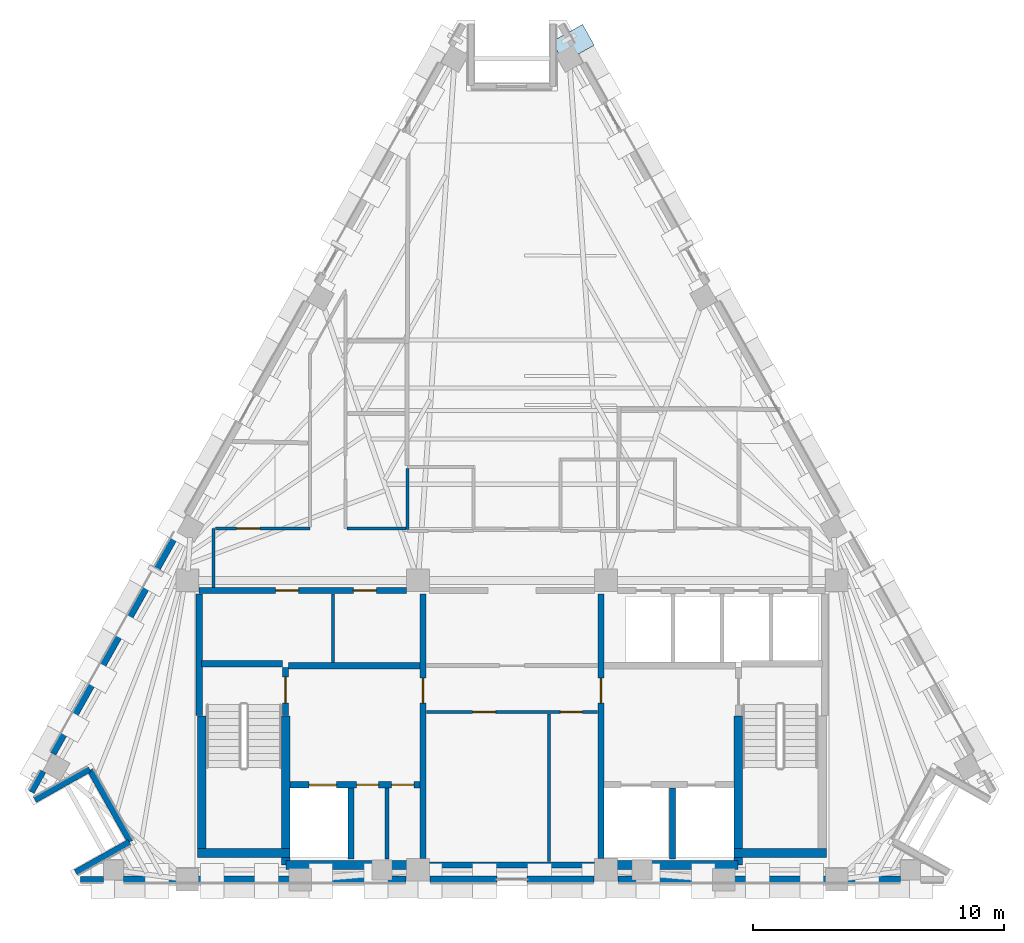
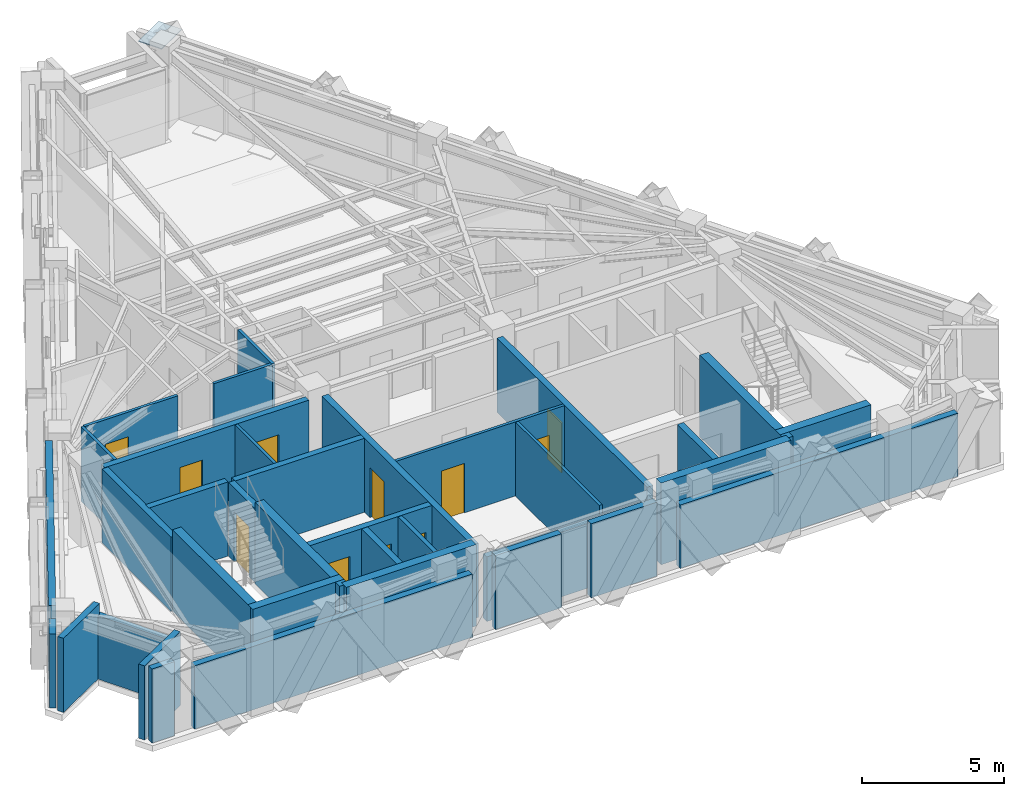
# One storey, part 5 of 9: 36 walls, 11 doors, 1 plate, 11 openings.
"""IFC4 building model written with IfcOpenShell, lengths in metres."""

from ifc_helpers import new_model, si_unit, direction, frame, frame_2d, origin, origin_2d, place, context, subcontext, project, spatial, rectangle, extrude, material, layer, layer_set, type_object, element, fill, save


model = new_model("IFC4")

# Units and contexts
model_context = context("Model", 3, precision=1e-05, world=origin(), true_north=direction((0.0, 1.0)))
body_context = subcontext(model_context, "Body", "Model", "MODEL_VIEW")
ifc_project = project(units=[si_unit("LENGTHUNIT", "METRE"), si_unit("AREAUNIT", "SQUARE_METRE"), si_unit("VOLUMEUNIT", "CUBIC_METRE"), si_unit("PLANEANGLEUNIT", "RADIAN"), si_unit("MASSUNIT", "GRAM", prefix="KILO")], contexts=[model_context])

# Site, building, storey
site_placement = place(None, origin())
site = spatial("IfcSite", under=ifc_project, at=site_placement, CompositionType="ELEMENT")
building_placement = place(site_placement, origin())
building = spatial("IfcBuilding", under=site, at=building_placement, Name="Quenlor Broadcast Tower", CompositionType="ELEMENT")
storey_placement = place(building_placement, frame((0.0, 0.0, 267.39990234375)))
storey = spatial("IfcBuildingStorey", under=building, at=storey_placement, Name="L74", CompositionType="ELEMENT", Elevation=267.39990234375)

# Plate
ifc_material_1 = material(Name="Steel S355", Category="steel")
ifc_layer_1 = layer(ifc_material_1, 0.035888671875)
ifc_layer_set_1 = layer_set([ifc_layer_1], Name="Transfer Truss Steel S355 Gusset Node Plate 1400x950x36")
plate_type = type_object("IfcPlateType", Name="Transfer Truss Steel S355 Gusset Node Plate 1400x950x36", PredefinedType="SHEET", material=ifc_layer_set_1)
plate_placement = place(storey_placement, frame((2.438232421875, 16.626708984375, 3.18212890625), z_axis=(0.0, 0.0, 1.0), x_axis=(0.871556314255, 0.490295412055, 0.0)))
element("IfcPlate", 1, at=plate_placement, inside=storey, type_object=plate_type, Name="L74 Lattice Tie Gusset Node NE-T0", PredefinedType="SHEET", context=body_context, shape_type="SweptSolid", body=[
    extrude(rectangle(XDim=1.39990234375, YDim=0.949951171875, at=origin_2d()), origin(), (0.0, 0.0, 1.0), 0.035888671875),
])

# Walls
ifc_material_2 = material(Name="Concrete C50/60", Category="concrete")
ifc_layer_2 = layer(ifc_material_2, 0.35009765625)
ifc_layer_set_2 = layer_set([ifc_layer_2], Name="Core Concrete C50/60 Shear Wall 350")
wall_type_1 = type_object("IfcWallType", Name="Core Concrete C50/60 Shear Wall 350", PredefinedType="SHEAR", material=ifc_layer_set_2)
wall_1_placement = place(storey_placement, frame((-12.550048828125, -15.675048828125, 0.0), z_axis=(0.0, 0.0, 1.0), x_axis=(1.0, 0.0, 0.0)))
element("IfcWall", 2, at=wall_1_placement, inside=storey, type_object=wall_type_1, Name="L74 Core Shear Wall WS-W1", PredefinedType="SHEAR", context=body_context, shape_type="SweptSolid", body=[
    extrude(rectangle(XDim=3.699951171875, YDim=0.35009765625, at=frame_2d((1.85009765625, 0.0))), origin(), (0.0, 0.0, 1.0), 3.5),
])
for number, where, z_axis, x_axis, name in (
    (3, (-9.02490234375, -16.14990234375, 0.0), (0.0, 0.0, 1.0), (1.0, 0.0, 0.0), "L74 Core Shear Wall WS-W2"),
    (4, (3.75, -16.14990234375, 0.0), (0.0, 0.0, 1.0), (1.0, 0.0, 0.0), "L74 Core Shear Wall WS-E1"),
):
    element("IfcWall", number, at=place(storey_placement, frame(where, z_axis=z_axis, x_axis=x_axis)), inside=storey, type_object=wall_type_1, Name=name, PredefinedType="SHEAR", context=body_context, shape_type="SweptSolid", body=[
        extrude(rectangle(XDim=5.27490234375, YDim=0.35009765625, at=frame_2d((2.637451171875, 0.0))), origin(), (0.0, 0.0, 1.0), 3.5),
    ])
wall_2_placement = place(storey_placement, frame((8.85009765625, -15.675048828125, 0.0), z_axis=(0.0, 0.0, 1.0), x_axis=(1.0, 0.0, 0.0)))
element("IfcWall", 5, at=wall_2_placement, inside=storey, type_object=wall_type_1, Name="L74 Core Shear Wall WS-E2", PredefinedType="SHEAR", context=body_context, shape_type="SweptSolid", body=[
    extrude(rectangle(XDim=3.699951171875, YDim=0.35009765625, at=frame_2d((1.85009765625, 0.0))), origin(), (0.0, 0.0, 1.0), 3.5),
])
wall_3_placement = place(storey_placement, frame((-12.375, -15.675048828125, 0.0), z_axis=(0.0, 0.0, 1.0), x_axis=(0.0, 1.0, 0.0)))
element("IfcWall", 6, at=wall_3_placement, inside=storey, type_object=wall_type_1, Name="L74 Core Shear Wall WF-W", PredefinedType="SHEAR", context=body_context, shape_type="SweptSolid", body=[
    extrude(rectangle(XDim=5.47509765625, YDim=0.35009765625, at=frame_2d((2.737548828125, 0.0))), origin(), (0.0, 0.0, 1.0), 3.5),
])
for number, where, z_axis, x_axis, name in (
    (7, (-9.02490234375, -16.14990234375, 0.0), (0.0, 0.0, 1.0), (0.0, 1.0, 0.0), "L74 Core Shear Wall WI-W"),
    (8, (9.02490234375, -16.14990234375, 0.0), (0.0, 0.0, 1.0), (0.0, 1.0, 0.0), "L74 Core Shear Wall WI-E"),
):
    element("IfcWall", number, at=place(storey_placement, frame(where, z_axis=z_axis, x_axis=x_axis)), inside=storey, type_object=wall_type_1, Name=name, PredefinedType="SHEAR", context=body_context, shape_type="SweptSolid", body=[
        extrude(rectangle(XDim=5.949951171875, YDim=0.35009765625, at=frame_2d((2.97509765625, 0.0))), origin(), (0.0, 0.0, 1.0), 3.5),
    ])

# Wall, opening, door
ifc_material_3 = material(Name="Concrete C40/50", Category="concrete")
ifc_layer_3 = layer(ifc_material_3, 0.25)
ifc_layer_set_3 = layer_set([ifc_layer_3], Name="Fire Rated Concrete C40/50 Core Wall 250")
wall_type_2 = type_object("IfcWallType", Name="Fire Rated Concrete C40/50 Core Wall 250", PredefinedType="PARTITIONING", material=ifc_layer_set_3)
wall_4_placement = place(storey_placement, frame((-9.0400390625, -10.179931640625, 0.0), z_axis=(0.0, 0.0, 1.0), x_axis=(0.0, 1.0, 0.0)))
wall_4 = element("IfcWall", 9, at=wall_4_placement, inside=storey, type_object=wall_type_2, Name="L74 Interior Wall CW-ST1-DR", PredefinedType="PARTITIONING", context=body_context, shape_type="SweptSolid", body=[
    extrude(rectangle(XDim=1.89990234375, YDim=0.25, at=frame_2d((0.949951171875, 0.0))), origin(), (0.0, 0.0, 1.0), 3.18017578125),
])
opening_1_placement = place(wall_4_placement, frame((0.47998046875, 0.0, 0.0)))
opening_1 = element("IfcOpeningElement", 10, at=opening_1_placement, cuts=wall_4, Name="Opening FD-1", PredefinedType="OPENING", context=body_context, shape_type="SweptSolid", body=[
    extrude(rectangle(XDim=1.050048828125, YDim=2.14990234375, at=frame_2d((0.52490234375, 1.074951171875))), frame((0.0, 0.135009765625, 0.0), z_axis=(0.0, -1.0, 0.0), x_axis=(1.0, 0.0, 0.0)), (0.0, 0.0, 1.0), 0.27001953125),
])
ifc_material_4 = material(Name="Fire Rated Steel Door Leaf", Category="steel")
door_type_1 = type_object("IfcDoorType", Name="Fire Isolated Stair Door 1050x2150", OperationType="NOTDEFINED", PredefinedType="DOOR", material=ifc_material_4)
door_1_placement = place(opening_1_placement, origin())
door_1 = element("IfcDoor", 11, at=door_1_placement, inside=storey, type_object=door_type_1, Name="L74 Door DR-ST1", OperationType="SINGLE_SWING_LEFT", OverallHeight=2.14990234375, OverallWidth=1.050048828125, PredefinedType="DOOR", context=body_context, shape_type="SweptSolid", body=[
    extrude(rectangle(XDim=1.050048828125, YDim=2.14990234375, at=frame_2d((0.52490234375, 1.074951171875))), frame((0.0, 0.02490234375, 0.0), z_axis=(0.0, -1.0, 0.0), x_axis=(1.0, 0.0, 0.0)), (0.0, 0.0, 1.0), 0.050048828125),
])
fill(opening_1, door_1)

# Walls
wall_5_placement = place(storey_placement, frame((-12.3798828125, -8.1201171875, 0.0), z_axis=(0.0, 0.0, 1.0), x_axis=(1.0, 0.0, 0.0)))
element("IfcWall", 12, at=wall_5_placement, inside=storey, type_object=wall_type_2, Name="L74 Interior Wall CW-ST1-N", PredefinedType="PARTITIONING", context=body_context, shape_type="SweptSolid", body=[
    extrude(rectangle(XDim=3.219970703125, YDim=0.25, at=frame_2d((1.60986328125, 0.0))), origin(), (0.0, 0.0, 1.0), 3.18017578125),
])
wall_6_placement = place(storey_placement, frame((-12.47998046875, -10.179931640625, 0.0), z_axis=(0.0, 0.0, 1.0), x_axis=(0.0, 1.0, 0.0)))
element("IfcWall", 13, at=wall_6_placement, inside=storey, type_object=wall_type_2, Name="L74 Interior Wall CW-ST1-W2", PredefinedType="PARTITIONING", context=body_context, shape_type="SweptSolid", body=[
    extrude(rectangle(XDim=4.83984375, YDim=0.25, at=frame_2d((2.419921875, 0.0))), origin(), (0.0, 0.0, 1.0), 3.18017578125),
])

# Wall, openings, doors
wall_7_placement = place(storey_placement, frame((-8.847900390625, -12.949951171875, 0.0), z_axis=(0.0, 0.0, 1.0), x_axis=(1.0, 0.0, 0.0)))
wall_7 = element("IfcWall", 14, at=wall_7_placement, inside=storey, type_object=wall_type_2, Name="L74 Interior Wall CW-FFW-S", PredefinedType="PARTITIONING", context=body_context, shape_type="SweptSolid", body=[
    extrude(rectangle(XDim=5.16796875, YDim=0.25, at=frame_2d((2.583984375, 0.0))), origin(), (0.0, 0.0, 1.0), 3.18017578125),
])
opening_2_placement = place(wall_7_placement, frame((0.748046875, 0.0, 0.0)))
opening_2 = element("IfcOpeningElement", 15, at=opening_2_placement, cuts=wall_7, Name="Opening LD-FFL-1", PredefinedType="OPENING", context=body_context, shape_type="SweptSolid", body=[
    extrude(rectangle(XDim=1.10009765625, YDim=2.14990234375, at=frame_2d((0.550048828125, 1.074951171875))), frame((0.0, 0.135009765625, 0.0), z_axis=(0.0, -1.0, 0.0), x_axis=(1.0, 0.0, 0.0)), (0.0, 0.0, 1.0), 0.27001953125),
])
opening_3_placement = place(wall_7_placement, frame((2.64794921875, 0.0, 0.0)))
opening_3 = element("IfcOpeningElement", 16, at=opening_3_placement, cuts=wall_7, Name="Opening TD-1", PredefinedType="OPENING", context=body_context, shape_type="SweptSolid", body=[
    extrude(rectangle(XDim=0.8798828125, YDim=2.10009765625, at=frame_2d((0.43994140625, 1.050048828125))), frame((0.0, 0.135009765625, 0.0), z_axis=(0.0, -1.0, 0.0), x_axis=(1.0, 0.0, 0.0)), (0.0, 0.0, 1.0), 0.27001953125),
])
opening_4_placement = place(wall_7_placement, frame((4.048095703125, 0.0, 0.0)))
opening_4 = element("IfcOpeningElement", 17, at=opening_4_placement, cuts=wall_7, Name="Opening TD-1", PredefinedType="OPENING", context=body_context, shape_type="SweptSolid", body=[
    extrude(rectangle(XDim=0.8798828125, YDim=2.10009765625, at=frame_2d((0.43994140625, 1.050048828125))), frame((0.0, 0.135009765625, 0.0), z_axis=(0.0, -1.0, 0.0), x_axis=(1.0, 0.0, 0.0)), (0.0, 0.0, 1.0), 0.27001953125),
])
ifc_material_5 = material(Name="Brushed Stainless Steel", Category="steel")
door_type_2 = type_object("IfcDoorType", Name="Emergency Lift Sliding Landing Door 1100x2150", OperationType="NOTDEFINED", PredefinedType="DOOR", material=ifc_material_5)
door_2_placement = place(opening_2_placement, origin())
door_2 = element("IfcDoor", 18, at=door_2_placement, inside=storey, type_object=door_type_2, Name="L74 Door LD-FFL-1", OperationType="SLIDING_TO_LEFT", OverallHeight=2.14990234375, OverallWidth=1.10009765625, PredefinedType="DOOR", context=body_context, shape_type="SweptSolid", body=[
    extrude(rectangle(XDim=1.10009765625, YDim=2.14990234375, at=frame_2d((0.550048828125, 1.074951171875))), frame((0.0, 0.02490234375, 0.0), z_axis=(0.0, -1.0, 0.0), x_axis=(1.0, 0.0, 0.0)), (0.0, 0.0, 1.0), 0.050048828125),
])
fill(opening_2, door_2)
ifc_material_6 = material(Name="Fire Rated Steel Access Panel", Category="steel")
door_type_3 = type_object("IfcDoorType", Name="Riser Shaft Rated Access Trapdoor 880x2100", OperationType="NOTDEFINED", PredefinedType="TRAPDOOR", material=ifc_material_6)
door_3_placement = place(opening_3_placement, origin())
door_3 = element("IfcDoor", 19, at=door_3_placement, inside=storey, type_object=door_type_3, Name="L74 Door DR-ELR", OperationType="SINGLE_SWING_LEFT", OverallHeight=2.10009765625, OverallWidth=0.8798828125, PredefinedType="TRAPDOOR", context=body_context, shape_type="SweptSolid", body=[
    extrude(rectangle(XDim=0.8798828125, YDim=2.10009765625, at=frame_2d((0.43994140625, 1.050048828125))), frame((0.0, 0.02490234375, 0.0), z_axis=(0.0, -1.0, 0.0), x_axis=(1.0, 0.0, 0.0)), (0.0, 0.0, 1.0), 0.050048828125),
])
fill(opening_3, door_3)
door_4_placement = place(opening_4_placement, origin())
door_4 = element("IfcDoor", 20, at=door_4_placement, inside=storey, type_object=door_type_3, Name="L74 Door DR-CMR", OperationType="SINGLE_SWING_RIGHT", OverallHeight=2.10009765625, OverallWidth=0.8798828125, PredefinedType="TRAPDOOR", context=body_context, shape_type="SweptSolid", body=[
    extrude(rectangle(XDim=0.8798828125, YDim=2.10009765625, at=frame_2d((0.43994140625, 1.050048828125))), frame((0.0, 0.02490234375, 0.0), z_axis=(0.0, -1.0, 0.0), x_axis=(1.0, 0.0, 0.0)), (0.0, 0.0, 1.0), 0.050048828125),
])
fill(opening_4, door_4)

# Walls
for number, where, z_axis, x_axis, name in (
    (21, (-6.419921875, -15.919921875, 0.0), (0.0, 0.0, 1.0), (0.0, 1.0, 0.0), "L74 Interior Wall CW-FF1-E"),
    (22, (6.39990234375, -15.919921875, 0.0), (0.0, 0.0, 1.0), (0.0, 1.0, 0.0), "L74 Interior Wall CW-SV1-E"),
):
    element("IfcWall", number, at=place(storey_placement, frame(where, z_axis=z_axis, x_axis=x_axis)), inside=storey, type_object=wall_type_2, Name=name, PredefinedType="PARTITIONING", context=body_context, shape_type="SweptSolid", body=[
        extrude(rectangle(XDim=2.829833984375, YDim=0.25, at=frame_2d((1.4150390625, 0.0))), origin(), (0.0, 0.0, 1.0), 3.18017578125),
    ])
wall_8_placement = place(storey_placement, frame((-8.919921875, -8.199951171875, 0.0), z_axis=(0.0, 0.0, 1.0), x_axis=(1.0, 0.0, 0.0)))
element("IfcWall", 23, at=wall_8_placement, inside=storey, type_object=wall_type_2, Name="L74 Interior Wall CW-FFW-N", PredefinedType="PARTITIONING", context=body_context, shape_type="SweptSolid", body=[
    extrude(rectangle(XDim=5.239990234375, YDim=0.25, at=frame_2d((2.6201171875, 0.0))), origin(), (0.0, 0.0, 1.0), 3.18017578125),
])

# Wall, opening, door
wall_9_placement = place(storey_placement, frame((-3.550048828125, -15.89794921875, 0.0), z_axis=(0.0, 0.0, 1.0), x_axis=(0.0, 1.0, 0.0)))
wall_9 = element("IfcWall", 24, at=wall_9_placement, inside=storey, type_object=wall_type_2, Name="L74 Interior Wall CW-FFW-E", PredefinedType="PARTITIONING", context=body_context, shape_type="SweptSolid", body=[
    extrude(rectangle(XDim=10.557861328125, YDim=0.25, at=frame_2d((5.27880859375, 0.0))), origin(), (0.0, 0.0, 1.0), 3.18017578125),
])
opening_5_placement = place(wall_9_placement, frame((6.197998046875, 0.0, 0.0)))
opening_5 = element("IfcOpeningElement", 25, at=opening_5_placement, cuts=wall_9, Name="Opening FD-2", PredefinedType="OPENING", context=body_context, shape_type="SweptSolid", body=[
    extrude(rectangle(XDim=1.0, YDim=2.14990234375, at=frame_2d((0.5, 1.074951171875))), frame((0.0, 0.135009765625, 0.0), z_axis=(0.0, -1.0, 0.0), x_axis=(1.0, 0.0, 0.0)), (0.0, 0.0, 1.0), 0.27001953125),
])
ifc_material_7 = material(Name="Fire Rated Glazed Steel Door", Category="steel")
door_type_4 = type_object("IfcDoorType", Name="Firefighting Lobby Smoke Door 1000x2150", OperationType="NOTDEFINED", PredefinedType="DOOR", material=ifc_material_7)
door_5_placement = place(opening_5_placement, origin())
door_5 = element("IfcDoor", 26, at=door_5_placement, inside=storey, type_object=door_type_4, Name="L74 Door DR-FFLW", OperationType="SINGLE_SWING_RIGHT", OverallHeight=2.14990234375, OverallWidth=1.0, PredefinedType="DOOR", context=body_context, shape_type="SweptSolid", body=[
    extrude(rectangle(XDim=1.0, YDim=2.14990234375, at=frame_2d((0.5, 1.074951171875))), frame((0.0, 0.02490234375, 0.0), z_axis=(0.0, -1.0, 0.0), x_axis=(1.0, 0.0, 0.0)), (0.0, 0.0, 1.0), 0.050048828125),
])
fill(opening_5, door_5)

wall_10_placement = place(storey_placement, frame((3.550048828125, -15.89794921875, 0.0), z_axis=(0.0, 0.0, 1.0), x_axis=(0.0, 1.0, 0.0)))
wall_10 = element("IfcWall", 27, at=wall_10_placement, inside=storey, type_object=wall_type_2, Name="L74 Interior Wall CW-FFE-W", PredefinedType="PARTITIONING", context=body_context, shape_type="SweptSolid", body=[
    extrude(rectangle(XDim=10.557861328125, YDim=0.25, at=frame_2d((5.27880859375, 0.0))), origin(), (0.0, 0.0, 1.0), 3.18017578125),
])
opening_6_placement = place(wall_10_placement, frame((6.197998046875, 0.0, 0.0)))
opening_6 = element("IfcOpeningElement", 28, at=opening_6_placement, cuts=wall_10, Name="Opening FD-2", PredefinedType="OPENING", context=body_context, shape_type="SweptSolid", body=[
    extrude(rectangle(XDim=1.0, YDim=2.14990234375, at=frame_2d((0.5, 1.074951171875))), frame((0.0, 0.135009765625, 0.0), z_axis=(0.0, -1.0, 0.0), x_axis=(1.0, 0.0, 0.0)), (0.0, 0.0, 1.0), 0.27001953125),
])
door_6_placement = place(opening_6_placement, origin())
door_6 = element("IfcDoor", 29, at=door_6_placement, inside=storey, type_object=door_type_4, Name="L74 Door DR-FFLE", OperationType="SINGLE_SWING_LEFT", OverallHeight=2.14990234375, OverallWidth=1.0, PredefinedType="DOOR", context=body_context, shape_type="SweptSolid", body=[
    extrude(rectangle(XDim=1.0, YDim=2.14990234375, at=frame_2d((0.5, 1.074951171875))), frame((0.0, 0.02490234375, 0.0), z_axis=(0.0, -1.0, 0.0), x_axis=(1.0, 0.0, 0.0)), (0.0, 0.0, 1.0), 0.050048828125),
])
fill(opening_6, door_6)

# Wall, openings, doors
wall_11_placement = place(storey_placement, frame((-12.47998046875, -5.199951171875, 0.0), z_axis=(0.0, 0.0, 1.0), x_axis=(1.0, 0.0, 0.0)))
wall_11 = element("IfcWall", 30, at=wall_11_placement, inside=storey, type_object=wall_type_2, Name="L74 Interior Wall CW-N-W", PredefinedType="PARTITIONING", context=body_context, shape_type="SweptSolid", body=[
    extrude(rectangle(XDim=8.278076171875, YDim=0.25, at=frame_2d((4.13916015625, 0.0))), origin(), (0.0, 0.0, 1.0), 3.18017578125),
])
opening_7_placement = place(wall_11_placement, frame((3.050048828125, 0.0, 0.0)))
opening_7 = element("IfcOpeningElement", 31, at=opening_7_placement, cuts=wall_11, Name="Opening ID-1", PredefinedType="OPENING", context=body_context, shape_type="SweptSolid", body=[
    extrude(rectangle(XDim=0.919921875, YDim=2.1201171875, at=frame_2d((0.4599609375, 1.06005859375))), frame((0.0, 0.135009765625, 0.0), z_axis=(0.0, -1.0, 0.0), x_axis=(1.0, 0.0, 0.0)), (0.0, 0.0, 1.0), 0.27001953125),
])
opening_8_placement = place(wall_11_placement, frame((6.14990234375, 0.0, 0.0)))
opening_8 = element("IfcOpeningElement", 32, at=opening_8_placement, cuts=wall_11, Name="Opening ID-1", PredefinedType="OPENING", context=body_context, shape_type="SweptSolid", body=[
    extrude(rectangle(XDim=0.919921875, YDim=2.1201171875, at=frame_2d((0.4599609375, 1.06005859375))), frame((0.0, 0.135009765625, 0.0), z_axis=(0.0, -1.0, 0.0), x_axis=(1.0, 0.0, 0.0)), (0.0, 0.0, 1.0), 0.27001953125),
])
ifc_material_8 = material(Name="Solid Core Timber Oak", Category="wood")
door_type_5 = type_object("IfcDoorType", Name="Single Leaf Timber Office Door 920x2120", OperationType="NOTDEFINED", PredefinedType="DOOR", material=ifc_material_8)
door_7_placement = place(opening_7_placement, origin())
door_7 = element("IfcDoor", 33, at=door_7_placement, inside=storey, type_object=door_type_5, Name="L74 Door DR-RCL1", OperationType="SINGLE_SWING_LEFT", OverallHeight=2.1201171875, OverallWidth=0.919921875, PredefinedType="DOOR", context=body_context, shape_type="SweptSolid", body=[
    extrude(rectangle(XDim=0.919921875, YDim=2.1201171875, at=frame_2d((0.4599609375, 1.06005859375))), frame((0.0, 0.02490234375, 0.0), z_axis=(0.0, -1.0, 0.0), x_axis=(1.0, 0.0, 0.0)), (0.0, 0.0, 1.0), 0.050048828125),
])
fill(opening_7, door_7)
door_8_placement = place(opening_8_placement, origin())
door_8 = element("IfcDoor", 34, at=door_8_placement, inside=storey, type_object=door_type_5, Name="L74 Door DR-RCL2", OperationType="SINGLE_SWING_RIGHT", OverallHeight=2.1201171875, OverallWidth=0.919921875, PredefinedType="DOOR", context=body_context, shape_type="SweptSolid", body=[
    extrude(rectangle(XDim=0.919921875, YDim=2.1201171875, at=frame_2d((0.4599609375, 1.06005859375))), frame((0.0, 0.02490234375, 0.0), z_axis=(0.0, -1.0, 0.0), x_axis=(1.0, 0.0, 0.0)), (0.0, 0.0, 1.0), 0.050048828125),
])
fill(opening_8, door_8)

# Walls
wall_12_placement = place(storey_placement, frame((-3.298095703125, -16.14990234375, 0.0), z_axis=(0.0, 0.0, 1.0), x_axis=(1.0, 0.0, 0.0)))
element("IfcWall", 35, at=wall_12_placement, inside=storey, type_object=wall_type_2, Name="L74 Interior Wall CW-MS-S", PredefinedType="PARTITIONING", context=body_context, shape_type="SweptSolid", body=[
    extrude(rectangle(XDim=6.59619140625, YDim=0.25, at=frame_2d((3.298095703125, 0.0))), origin(), (0.0, 0.0, 1.0), 2.773681640625),
])
ifc_material_9 = material(Name="Gypsum Fireboard Partition", Category="other")
ifc_layer_4 = layer(ifc_material_9, 0.159912109375)
ifc_layer_set_4 = layer_set([ifc_layer_4], Name="Fire Rated Shaft and Corridor Partition 160")
wall_type_3 = type_object("IfcWallType", Name="Fire Rated Shaft and Corridor Partition 160", PredefinedType="PARTITIONING", material=ifc_layer_set_4)
wall_13_placement = place(storey_placement, frame((-4.97998046875, -15.919921875, 0.0), z_axis=(0.0, 0.0, 1.0), x_axis=(0.0, 1.0, 0.0)))
element("IfcWall", 36, at=wall_13_placement, inside=storey, type_object=wall_type_3, Name="L74 Interior Wall CW-ELR-E", PredefinedType="PARTITIONING", context=body_context, shape_type="SweptSolid", body=[
    extrude(rectangle(XDim=2.829833984375, YDim=0.159912109375, at=frame_2d((1.4150390625, 0.0))), origin(), (0.0, 0.0, 1.0), 3.18017578125),
])
ifc_material_10 = material(Name="Gypsum Plasterboard Partition", Category="other")
ifc_layer_5 = layer(ifc_material_10, 0.1201171875)
ifc_layer_set_5 = layer_set([ifc_layer_5], Name="Standard Office Partition 120")
wall_type_4 = type_object("IfcWallType", Name="Standard Office Partition 120", PredefinedType="PARTITIONING", material=ifc_layer_set_5)
wall_14_placement = place(storey_placement, frame((-7.14990234375, -8.072998046875, 0.0), z_axis=(0.0, 0.0, 1.0), x_axis=(0.0, 1.0, 0.0)))
element("IfcWall", 37, at=wall_14_placement, inside=storey, type_object=wall_type_4, Name="L74 Interior Wall CW-RCL-MID", PredefinedType="PARTITIONING", context=body_context, shape_type="SweptSolid", body=[
    extrude(rectangle(XDim=2.73291015625, YDim=0.1201171875, at=frame_2d((1.366455078125, 0.0))), origin(), (0.0, 0.0, 1.0), 3.18017578125),
])

# Wall, openings, doors
wall_15_placement = place(storey_placement, frame((-3.419921875, -10.050048828125, 0.0), z_axis=(0.0, 0.0, 1.0), x_axis=(1.0, 0.0, 0.0)))
wall_15 = element("IfcWall", 38, at=wall_15_placement, inside=storey, type_object=wall_type_4, Name="L74 Interior Wall CW-MS-N", PredefinedType="PARTITIONING", context=body_context, shape_type="SweptSolid", body=[
    extrude(rectangle(XDim=6.83984375, YDim=0.1201171875, at=frame_2d((3.419921875, 0.0))), origin(), (0.0, 0.0, 1.0), 3.18017578125),
])
opening_9_placement = place(wall_15_placement, frame((1.85009765625, 0.0, 0.0)))
opening_9 = element("IfcOpeningElement", 39, at=opening_9_placement, cuts=wall_15, Name="Opening ID-1", PredefinedType="OPENING", context=body_context, shape_type="SweptSolid", body=[
    extrude(rectangle(XDim=0.919921875, YDim=2.1201171875, at=frame_2d((0.4599609375, 1.06005859375))), frame((0.0, 0.070068359375, 0.0), z_axis=(0.0, -1.0, 0.0), x_axis=(1.0, 0.0, 0.0)), (0.0, 0.0, 1.0), 0.14013671875),
])
opening_10_placement = place(wall_15_placement, frame((5.35009765625, 0.0, 0.0)))
opening_10 = element("IfcOpeningElement", 40, at=opening_10_placement, cuts=wall_15, Name="Opening ID-4", PredefinedType="OPENING", context=body_context, shape_type="SweptSolid", body=[
    extrude(rectangle(XDim=0.8798828125, YDim=2.1201171875, at=frame_2d((0.43994140625, 1.06005859375))), frame((0.0, 0.070068359375, 0.0), z_axis=(0.0, -1.0, 0.0), x_axis=(1.0, 0.0, 0.0)), (0.0, 0.0, 1.0), 0.14013671875),
])
ifc_material_11 = material(Name="Solid Core Timber Oak", Category="wood")
door_type_6 = type_object("IfcDoorType", Name="Service Closet Timber Door 880x2120", OperationType="NOTDEFINED", PredefinedType="DOOR", material=ifc_material_11)
door_9_placement = place(opening_10_placement, origin())
door_9 = element("IfcDoor", 41, at=door_9_placement, inside=storey, type_object=door_type_6, Name="L74 Door DR-RCMB", OperationType="SINGLE_SWING_RIGHT", OverallHeight=2.1201171875, OverallWidth=0.8798828125, PredefinedType="DOOR", context=body_context, shape_type="SweptSolid", body=[
    extrude(rectangle(XDim=0.8798828125, YDim=2.1201171875, at=frame_2d((0.43994140625, 1.06005859375))), frame((0.0, 0.02490234375, 0.0), z_axis=(0.0, -1.0, 0.0), x_axis=(1.0, 0.0, 0.0)), (0.0, 0.0, 1.0), 0.050048828125),
])
fill(opening_10, door_9)
door_10_placement = place(opening_9_placement, origin())
door_10 = element("IfcDoor", 42, at=door_10_placement, inside=storey, type_object=door_type_5, Name="L74 Door DR-RCMA", OperationType="SINGLE_SWING_LEFT", OverallHeight=2.1201171875, OverallWidth=0.919921875, PredefinedType="DOOR", context=body_context, shape_type="SweptSolid", body=[
    extrude(rectangle(XDim=0.919921875, YDim=2.1201171875, at=frame_2d((0.4599609375, 1.06005859375))), frame((0.0, 0.02490234375, 0.0), z_axis=(0.0, -1.0, 0.0), x_axis=(1.0, 0.0, 0.0)), (0.0, 0.0, 1.0), 0.050048828125),
])
fill(opening_9, door_10)

# Walls
wall_16_placement = place(storey_placement, frame((1.47998046875, -16.02001953125, 0.0), z_axis=(0.0, 0.0, 1.0), x_axis=(0.0, 1.0, 0.0)))
element("IfcWall", 43, at=wall_16_placement, inside=storey, type_object=wall_type_4, Name="L74 Interior Wall CW-RCM-X2", PredefinedType="PARTITIONING", context=body_context, shape_type="SweptSolid", body=[
    extrude(rectangle(XDim=5.89013671875, YDim=0.1201171875, at=frame_2d((2.945068359375, 0.0))), origin(), (0.0, 0.0, 1.0), 3.18017578125),
])
wall_17_placement = place(storey_placement, frame((-4.159912109375, -2.758056640625, 0.0), z_axis=(0.0, 0.0, 1.0), x_axis=(0.0, 1.0, 0.0)))
element("IfcWall", 44, at=wall_17_placement, inside=storey, type_object=wall_type_4, Name="L74 Interior Wall PW-AWC-W", PredefinedType="PARTITIONING", context=body_context, shape_type="SweptSolid", body=[
    extrude(rectangle(XDim=2.426025390625, YDim=0.1201171875, at=frame_2d((1.212890625, 0.0))), origin(), (0.0, 0.0, 1.0), 3.18017578125),
])
wall_18_placement = place(storey_placement, frame((-11.89990234375, -5.072998046875, 0.0), z_axis=(0.0, 0.0, 1.0), x_axis=(0.0, 1.0, 0.0)))
element("IfcWall", 45, at=wall_18_placement, inside=storey, type_object=wall_type_4, Name="L74 Interior Wall PW-CR-01", PredefinedType="PARTITIONING", context=body_context, shape_type="SweptSolid", body=[
    extrude(rectangle(XDim=2.343017578125, YDim=0.1201171875, at=frame_2d((1.17138671875, 0.0))), origin(), (0.0, 0.0, 1.0), 3.18017578125),
])

# Wall, opening, door
wall_19_placement = place(storey_placement, frame((-11.837890625, -2.72998046875, 0.0), z_axis=(0.0, 0.0, 1.0), x_axis=(1.0, 0.0, 0.0)))
wall_19 = element("IfcWall", 46, at=wall_19_placement, inside=storey, type_object=wall_type_4, Name="L74 Interior Wall PW-CR-02", PredefinedType="PARTITIONING", context=body_context, shape_type="SweptSolid", body=[
    extrude(rectangle(XDim=3.787841796875, YDim=0.1201171875, at=frame_2d((1.89404296875, 0.0))), origin(), (0.0, 0.0, 1.0), 3.18017578125),
])
opening_11_placement = place(wall_19_placement, frame((0.85400390625, 0.0, 0.0)))
opening_11 = element("IfcOpeningElement", 47, at=opening_11_placement, cuts=wall_19, Name="Opening ID-1", PredefinedType="OPENING", context=body_context, shape_type="SweptSolid", body=[
    extrude(rectangle(XDim=0.919921875, YDim=2.1201171875, at=frame_2d((0.4599609375, 1.06005859375))), frame((0.0, 0.070068359375, 0.0), z_axis=(0.0, -1.0, 0.0), x_axis=(1.0, 0.0, 0.0)), (0.0, 0.0, 1.0), 0.14013671875),
])
door_11_placement = place(opening_11_placement, origin())
door_11 = element("IfcDoor", 48, at=door_11_placement, inside=storey, type_object=door_type_5, Name="L74 Door DR-RM07", OperationType="SINGLE_SWING_LEFT", OverallHeight=2.1201171875, OverallWidth=0.919921875, PredefinedType="DOOR", context=body_context, shape_type="SweptSolid", body=[
    extrude(rectangle(XDim=0.919921875, YDim=2.1201171875, at=frame_2d((0.4599609375, 1.06005859375))), frame((0.0, 0.02490234375, 0.0), z_axis=(0.0, -1.0, 0.0), x_axis=(1.0, 0.0, 0.0)), (0.0, 0.0, 1.0), 0.050048828125),
])
fill(opening_11, door_11)

# Walls
wall_20_placement = place(storey_placement, frame((-6.587890625, -2.72998046875, 0.0), z_axis=(0.0, 0.0, 1.0), x_axis=(1.0, 0.0, 0.0)))
element("IfcWall", 49, at=wall_20_placement, inside=storey, type_object=wall_type_4, Name="L74 Interior Wall PW-CR-06", PredefinedType="PARTITIONING", context=body_context, shape_type="SweptSolid", body=[
    extrude(rectangle(XDim=2.365966796875, YDim=0.1201171875, at=frame_2d((1.18310546875, 0.0))), origin(), (0.0, 0.0, 1.0), 3.18017578125),
])
ifc_material_12 = material(Name="Precast concrete C40/50", Category="concrete")
ifc_layer_6 = layer(ifc_material_12, 0.239990234375)
ifc_layer_set_6 = layer_set([ifc_layer_6], Name="Terrace Threshold Precast Concrete C40/50 Wall 240")
wall_type_5 = type_object("IfcWallType", Name="Terrace Threshold Precast Concrete C40/50 Wall 240", PredefinedType="STANDARD", material=ifc_layer_set_6)
wall_21_placement = place(storey_placement, frame((-16.302490234375, -16.72509765625, 0.0), z_axis=(0.0, 0.0, 1.0), x_axis=(-1.0, 0.0, 0.0)))
element("IfcWall", 50, at=wall_21_placement, inside=storey, type_object=wall_type_5, Name="L74 Exterior Wall L74-SHD-SS1", PredefinedType="STANDARD", context=body_context, shape_type="SweptSolid", body=[
    extrude(rectangle(XDim=0.91748046875, YDim=0.239990234375, at=frame_2d((0.458740234375, 0.0))), origin(), (0.0, 0.0, 1.0), 3.18017578125),
])
wall_22_placement = place(storey_placement, frame((-19.1708984375, -13.242431640625, 0.0), z_axis=(0.0, 0.0, 1.0), x_axis=(0.490199895283, 0.871610040479, 0.0)))
element("IfcWall", 51, at=wall_22_placement, inside=storey, type_object=wall_type_5, Name="L74 Exterior Wall L74-SHD-NWS0", PredefinedType="STANDARD", context=body_context, shape_type="SweptSolid", body=[
    extrude(rectangle(XDim=0.94482421875, YDim=0.239990234375, at=frame_2d((0.472412109375, 0.0))), origin(), (0.0, 0.0, 1.0), 3.18017578125),
])
wall_23_placement = place(storey_placement, frame((-19.033447265625, -13.556396484375, 0.0), z_axis=(0.0, 0.0, 1.0), x_axis=(0.871588577066, 0.490238056792, 0.0)))
element("IfcWall", 52, at=wall_23_placement, inside=storey, type_object=wall_type_5, Name="L74 Exterior Wall L74-CNR-13", PredefinedType="STANDARD", context=body_context, shape_type="SweptSolid", body=[
    extrude(rectangle(XDim=2.5, YDim=0.239990234375, at=frame_2d((1.25, 0.0))), origin(), (0.0, 0.0, 1.0), 3.18017578125),
])
wall_24_placement = place(storey_placement, frame((-16.8349609375, -12.36572265625, 0.0), z_axis=(0.0, 0.0, 1.0), x_axis=(0.490293083368, -0.871557624258, 0.0)))
element("IfcWall", 53, at=wall_24_placement, inside=storey, type_object=wall_type_5, Name="L74 Exterior Wall L74-CNR-14", PredefinedType="STANDARD", context=body_context, shape_type="SweptSolid", body=[
    extrude(rectangle(XDim=3.276123046875, YDim=0.239990234375, at=frame_2d((1.63818359375, 0.0))), origin(), (0.0, 0.0, 1.0), 2.7197265625),
])
wall_25_placement = place(storey_placement, frame((-15.263671875, -15.240478515625, 0.0), z_axis=(0.0, 0.0, 1.0), x_axis=(-0.87157023615, -0.490270663468, 0.0)))
element("IfcWall", 54, at=wall_25_placement, inside=storey, type_object=wall_type_5, Name="L74 Exterior Wall L74-CNR-15", PredefinedType="STANDARD", context=body_context, shape_type="SweptSolid", body=[
    extrude(rectangle(XDim=2.4599609375, YDim=0.239990234375, at=frame_2d((1.22998046875, 0.0))), origin(), (0.0, 0.0, 1.0), 3.18017578125),
])
ifc_material_13 = material(Name="Precast concrete C40/50", Category="concrete")
ifc_layer_7 = layer(ifc_material_13, 0.260009765625)
ifc_layer_set_7 = layer_set([ifc_layer_7], Name="Terracotta Precast Concrete C40/50 Upper Wall 260")
wall_type_6 = type_object("IfcWallType", Name="Terracotta Precast Concrete C40/50 Upper Wall 260", PredefinedType="STANDARD", material=ifc_layer_set_7)
for number, where, z_axis, x_axis, name in (
    (55, (15.49267578125, -16.72509765625, 0.0), (0.0, 0.0, 1.0), (-1.0, 0.0, 0.0), "L74 Exterior Wall L74-EW-SA"),
    (56, (-4.219970703125, -16.72509765625, 0.0), (0.0, 0.0, 1.0), (-1.0, 0.0, 0.0), "L74 Exterior Wall L74-EW-SC"),
):
    element("IfcWall", number, at=place(storey_placement, frame(where, z_axis=z_axis, x_axis=x_axis)), inside=storey, type_object=wall_type_6, Name=name, PredefinedType="STANDARD", context=body_context, shape_type="SweptSolid", body=[
        extrude(rectangle(XDim=11.272705078125, YDim=0.260009765625, at=frame_2d((5.63623046875, 0.0))), origin(), (0.0, 0.0, 1.0), 2.7197265625),
    ])
for number, where, z_axis, x_axis, name in (
    (57, (3.280029296875, -16.72509765625, 0.0), (0.0, 0.0, 1.0), (-1.0, 0.0, 0.0), "L74 Exterior Wall L74-S-SP1"),
    (58, (-0.605712890625, -16.72509765625, 0.0), (0.0, 0.0, 1.0), (-1.0, 0.0, 0.0), "L74 Exterior Wall L74-S-SP2"),
):
    element("IfcWall", number, at=place(storey_placement, frame(where, z_axis=z_axis, x_axis=x_axis)), inside=storey, type_object=wall_type_6, Name=name, PredefinedType="STANDARD", context=body_context, shape_type="SweptSolid", body=[
        extrude(rectangle(XDim=2.67431640625, YDim=0.260009765625, at=frame_2d((1.337158203125, 0.0))), origin(), (0.0, 0.0, 1.0), 3.18017578125),
    ])
wall_26_placement = place(storey_placement, frame((-18.310546875, -11.712890625, 0.0), z_axis=(0.0, 0.0, 1.0), x_axis=(0.490266968583, 0.871572314565, 0.0)))
element("IfcWall", 59, at=wall_26_placement, inside=storey, type_object=wall_type_6, Name="L74 Exterior Wall L74-EW-NWA", PredefinedType="STANDARD", context=body_context, shape_type="SweptSolid", body=[
    extrude(rectangle(XDim=10.116455078125, YDim=0.260009765625, at=frame_2d((5.05810546875, 0.0))), origin(), (0.0, 0.0, 1.0), 3.18017578125),
])

save(model, "model.ifc")
